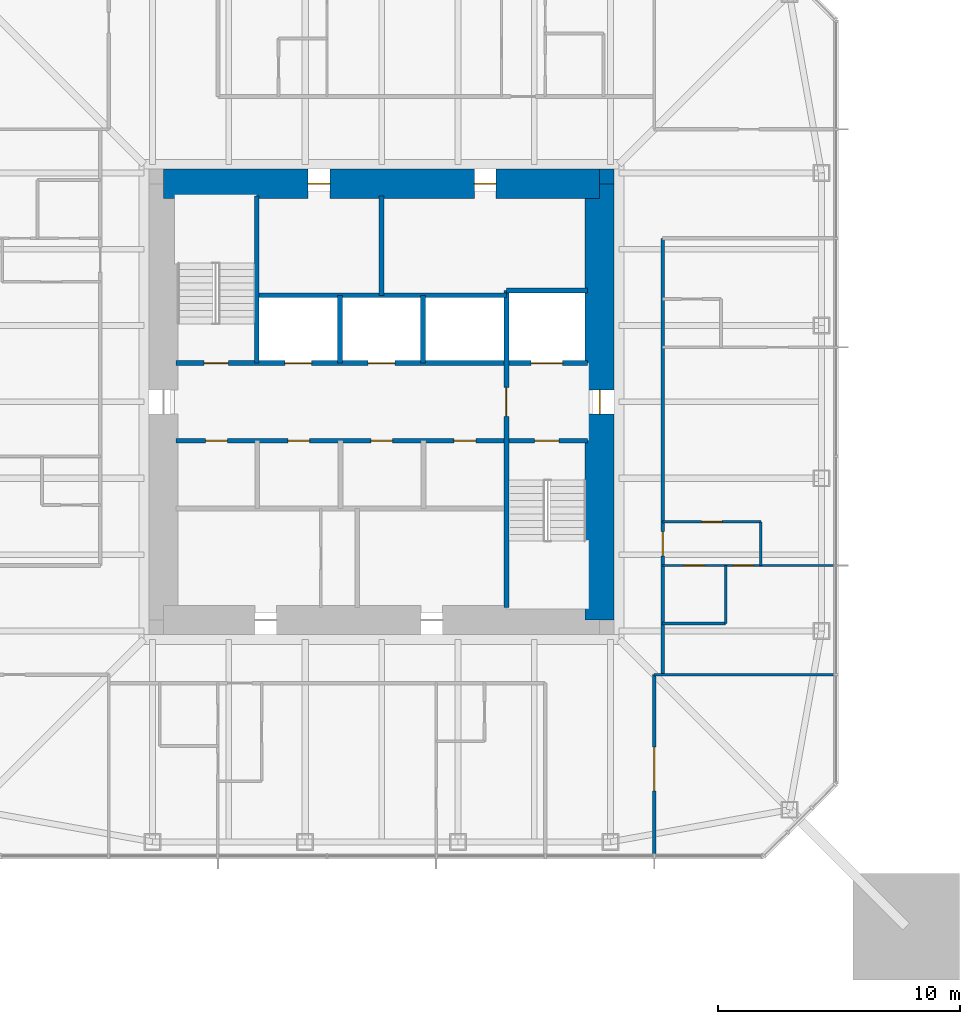
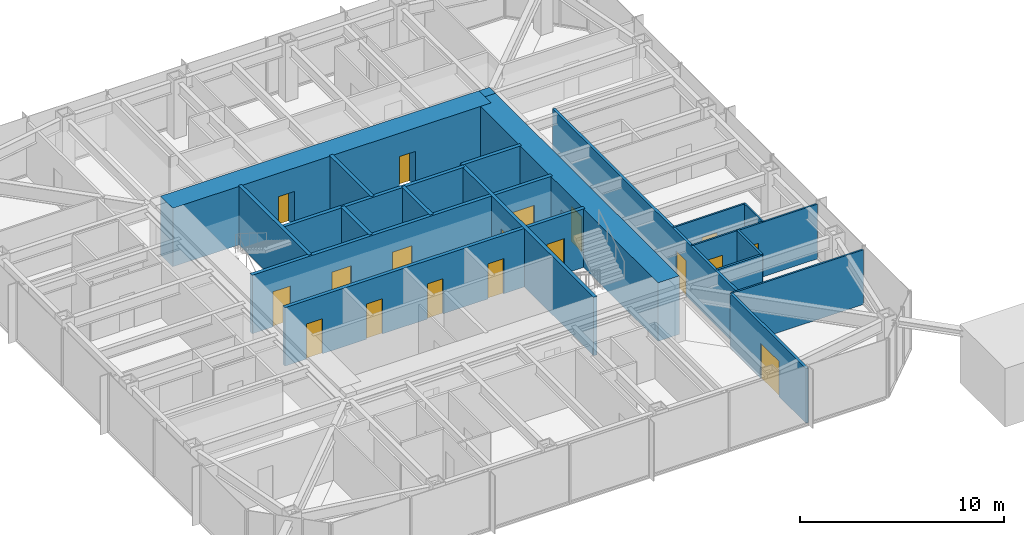
# One storey, part 7 of 11: 20 walls, 18 doors, 18 openings.
"""IFC4 building model written with IfcOpenShell, lengths in metres."""

import ifcopenshell
import ifcopenshell.guid

model = None  # the IFC model being written
_history = None  # IfcOwnerHistory: only IFC2X3 demands one
_inside = {}  # id of a spatial element -> (the spatial element, [elements in it])
_under = {}  # id of a project, library or spatial element -> (it, [spatial elements below it])
_declared = {}  # id of a project -> (the project, [libraries it declares])
_typed = {}  # id of a type object -> (the type object, [elements of that type])
_made_of = {}  # id of a material, layer set ... -> (it, [elements and type objects made of it])


def new_model(schema):
    """Start an empty IFC model of exactly this schema.

    Asked for "IFC4X3", IfcOpenShell would pick the latest addendum, in which some entities
    have other attributes; the version numbers below select the first issue.
    IFC2X3 requires an IfcOwnerHistory on every rooted entity: one is made here for all.
    """
    global model, _history
    if schema == "IFC4X3":
        model = ifcopenshell.file(schema_version=(4, 3, 0, 0))
    else:
        model = ifcopenshell.file(schema=schema)
    _inside.clear()
    _under.clear()
    _declared.clear()
    _typed.clear()
    _made_of.clear()
    _history = None
    if model.schema == "IFC2X3":
        org = make("IfcOrganization", Name="unknown")
        user = make(
            "IfcPersonAndOrganization",
            ThePerson=make("IfcPerson", FamilyName="unknown"),
            TheOrganization=org,
        )
        app = make(
            "IfcApplication",
            ApplicationDeveloper=org,
            Version="unknown",
            ApplicationFullName="unknown",
            ApplicationIdentifier="unknown",
        )
        _history = make(
            "IfcOwnerHistory",
            OwningUser=user,
            OwningApplication=app,
            ChangeAction="ADDED",
            CreationDate=0,
        )
    return model


def make(cls, **values):
    """One entity of the class cls with the attributes given. An attribute that is None is left unset."""
    return model.create_entity(
        cls, **{name: value for name, value in values.items() if value is not None}
    )


def rooted(cls, **values):
    """An entity with a GlobalId (a new one), such as an element, a storey or a relation."""
    return make(cls, GlobalId=ifcopenshell.guid.new(), OwnerHistory=_history, **values)


def si_unit(unit_type, name, prefix=None):
    """IfcSIUnit, for example si_unit("LENGTHUNIT", "METRE", prefix="MILLI")."""
    return make("IfcSIUnit", UnitType=unit_type, Prefix=prefix, Name=name)


def assignment(units):
    """IfcUnitAssignment: the units of a project."""
    return None if units is None else make("IfcUnitAssignment", Units=units)


def point(xyz):
    """IfcCartesianPoint."""
    return None if xyz is None else make("IfcCartesianPoint", Coordinates=xyz)


def direction(xyz):
    """IfcDirection."""
    return None if xyz is None else make("IfcDirection", DirectionRatios=xyz)


def frame(location, z_axis=None, x_axis=None):
    """IfcAxis2Placement3D, a coordinate frame: its origin and axes. An axis left out is left unset."""
    return make(
        "IfcAxis2Placement3D",
        Location=point(location),
        Axis=direction(z_axis),
        RefDirection=direction(x_axis),
    )


def frame_2d(location, x_axis=None):
    """IfcAxis2Placement2D, a coordinate frame in the plane: its origin and x axis."""
    return make(
        "IfcAxis2Placement2D", Location=point(location), RefDirection=direction(x_axis)
    )


def origin():
    """The frame at (0, 0, 0) with its axes left unset."""
    return frame((0.0, 0.0, 0.0))


def place(relative_to, where):
    """IfcLocalPlacement: puts the frame where relative to a parent placement (None: the world)."""
    return make(
        "IfcLocalPlacement", PlacementRelTo=relative_to, RelativePlacement=where
    )


def context(
    kind, dimensions, precision=None, world=None, true_north=None, identifier=None
):
    """IfcGeometricRepresentationContext, for example the 3D "Model" context."""
    return make(
        "IfcGeometricRepresentationContext",
        ContextIdentifier=identifier,
        ContextType=kind,
        CoordinateSpaceDimension=dimensions,
        Precision=precision,
        WorldCoordinateSystem=world,
        TrueNorth=true_north,
    )


def subcontext(parent, identifier, kind, view, scale=None):
    """IfcGeometricRepresentationSubContext, for example "Body" below "Model"."""
    return make(
        "IfcGeometricRepresentationSubContext",
        ContextIdentifier=identifier,
        ContextType=kind,
        ParentContext=parent,
        TargetScale=scale,
        TargetView=view,
    )


def project(units=None, contexts=None):
    """IfcProject with its units and contexts."""
    return rooted(
        "IfcProject",
        Name="project",
        RepresentationContexts=contexts,
        UnitsInContext=assignment(units),
    )


def spatial(cls, under=None, at=None, **own):
    """A site, building, storey or space (cls), placed at a placement, below another one or the project."""
    s = rooted(cls, ObjectPlacement=at, **own)
    if under is not None:
        _under.setdefault(under.id(), (under, []))[1].append(s)
    return s


def profile(cls, at=None, kind="AREA", **sizes):
    """A parametric profile (cls). Its sizes go by their IFC names, for example OverallWidth=200.0."""
    return make(cls, ProfileType=kind, Position=at, **sizes)


def rectangle(**sizes):
    """IfcRectangleProfileDef."""
    return profile("IfcRectangleProfileDef", **sizes)


def extrude(swept, where, along, depth):
    """IfcExtrudedAreaSolid: the profile swept, set in the frame where, extruded along a direction by depth."""
    return make(
        "IfcExtrudedAreaSolid",
        SweptArea=swept,
        Position=where,
        ExtrudedDirection=direction(along),
        Depth=depth,
    )


def shape(context_of_items, identifier, shape_type, items):
    """IfcShapeRepresentation: the items that make up one representation, for example the "Body"."""
    return make(
        "IfcShapeRepresentation",
        ContextOfItems=context_of_items,
        RepresentationIdentifier=identifier,
        RepresentationType=shape_type,
        Items=items,
    )


def material(Name=None, Category=None):
    """IfcMaterial."""
    return make("IfcMaterial", Name=Name, Category=Category)


def layer(
    of_material, thickness, ventilated=None, Name=None, Category=None, Priority=None
):
    """IfcMaterialLayer: one layer of a wall or slab, of a material (None: an air gap)."""
    return make(
        "IfcMaterialLayer",
        Material=of_material,
        LayerThickness=thickness,
        IsVentilated=ventilated,
        Name=Name,
        Category=Category,
        Priority=Priority,
    )


def layer_set(layers, Name=None):
    """IfcMaterialLayerSet."""
    return make("IfcMaterialLayerSet", MaterialLayers=layers, LayerSetName=Name)


def made_of(thing, what):
    """Note that an element or type object is made of a material, layer set ...; save() writes the relation."""
    if what is not None:
        _made_of.setdefault(what.id(), (what, []))[1].append(thing)
    return thing


def type_object(cls, material=None, **own):
    """A type object (cls), such as IfcWallType, which elements share."""
    return made_of(rooted(cls, **own), material)


def element(
    cls,
    number,
    at=None,
    inside=None,
    cuts=None,
    type_object=None,
    material=None,
    context=None,
    identifier="Body",
    shape_type=None,
    held_by="IfcProductDefinitionShape",
    body=None,
    shapes=None,
    **own,
):
    """One element of the class cls, such as IfcWall. Its Tag is "e" and its number.

    at: its placement. inside: the storey or other place that contains it. cuts: it is an
    opening in that element (IfcRelVoidsElement). A single representation is given by context,
    identifier, shape_type and body (its items); several are given by shapes. held_by: the class
    of the entity that holds the representations. save() writes the other relations.
    """
    e = rooted(cls, Tag="e%d" % number, ObjectPlacement=at, **own)
    if body is not None:
        shapes = [shape(context, identifier, shape_type, body)]
    if shapes is not None:
        e.Representation = make(held_by, Representations=shapes)
    if inside is not None:
        _inside.setdefault(inside.id(), (inside, []))[1].append(e)
    if cuts is not None:
        rooted(
            "IfcRelVoidsElement", RelatingBuildingElement=cuts, RelatedOpeningElement=e
        )
    if type_object is not None:
        _typed.setdefault(type_object.id(), (type_object, []))[1].append(e)
    return made_of(e, material)


def fill(opening, filler):
    """IfcRelFillsElement: the door or window that sits in an opening."""
    return rooted(
        "IfcRelFillsElement",
        RelatingOpeningElement=opening,
        RelatedBuildingElement=filler,
    )


def aggregate(whole, parts):
    """IfcRelAggregates: a whole, such as a stair, and the parts it consists of."""
    return rooted("IfcRelAggregates", RelatingObject=whole, RelatedObjects=parts)


def save(model, path):
    """Write the relations noted so far, then the file.

    IfcRelAggregates (storeys below a building ...), IfcRelContainedInSpatialStructure (elements
    in a storey), IfcRelDefinesByType, IfcRelAssociatesMaterial and IfcRelDeclares: one each for
    every whole, place, type object, material and project.
    """
    for whole, parts in _under.values():
        aggregate(whole, parts)
    for where, things in _inside.values():
        rooted(
            "IfcRelContainedInSpatialStructure",
            RelatedElements=things,
            RelatingStructure=where,
        )
    for kind, things in _typed.values():
        rooted("IfcRelDefinesByType", RelatedObjects=things, RelatingType=kind)
    for what, things in _made_of.values():
        rooted("IfcRelAssociatesMaterial", RelatedObjects=things, RelatingMaterial=what)
    for by, libraries in _declared.values():
        rooted("IfcRelDeclares", RelatingContext=by, RelatedDefinitions=libraries)
    model.write(path)


model = new_model("IFC4")

# Units and contexts
model_context = context("Model", 3, precision=1e-05, world=origin(), true_north=direction((0.0, 1.0)))
body_context = subcontext(model_context, "Body", "Model", "MODEL_VIEW")
ifc_project = project(units=[si_unit("LENGTHUNIT", "METRE"), si_unit("AREAUNIT", "SQUARE_METRE"), si_unit("VOLUMEUNIT", "CUBIC_METRE"), si_unit("PLANEANGLEUNIT", "RADIAN"), si_unit("MASSUNIT", "GRAM", prefix="KILO")], contexts=[model_context])

# Site, building, storey
site_placement = place(None, origin())
site = spatial("IfcSite", under=ifc_project, at=site_placement, CompositionType="ELEMENT")
building_placement = place(site_placement, origin())
building = spatial("IfcBuilding", under=site, at=building_placement, Name="Iwan Alto Co-Living Towers", CompositionType="ELEMENT")
storey_placement = place(building_placement, frame((0.0, 0.0, 177.5)))
storey = spatial("IfcBuildingStorey", under=building, at=storey_placement, Name="L48", CompositionType="ELEMENT", Elevation=177.5)

# Wall, opening, door
ifc_material_1 = material(Name="Gypsum board")
ifc_layer_1 = layer(ifc_material_1, 0.02490234375, Name="Board", Category="Finish")
ifc_material_2 = material(Name="Steel ASTM A1003 ST33H cold-formed studs", Category="steel")
ifc_layer_2 = layer(ifc_material_2, 0.10009765625, Name="Studs", Category="Framing")
ifc_layer_3 = layer(ifc_material_1, 0.02490234375, Name="Board", Category="Finish")
ifc_layer_set_1 = layer_set([ifc_layer_1, ifc_layer_2, ifc_layer_3], Name="CORRIDOR WALL 150")
wall_type_1 = type_object("IfcWallType", Name="CORRIDOR WALL 150", PredefinedType="PARTITIONING", material=ifc_layer_set_1)
wall_1_placement = place(storey_placement, frame((11.60009765625, -11.25, 0.0), z_axis=(0.0, 0.0, 1.0), x_axis=(0.0, 1.0, 0.0)))
wall_1 = element("IfcWall", 1, at=wall_1_placement, inside=storey, type_object=wall_type_1, Name="Partition L48", PredefinedType="PARTITIONING", context=body_context, shape_type="SweptSolid", body=[
    extrude(rectangle(XDim=18.0, YDim=0.14990234375, at=frame_2d((9.0, 0.0))), origin(), (0.0, 0.0, 1.0), 3.27001953125),
])
opening_1_placement = place(wall_1_placement, frame((4.89990234375, 0.0, 0.0)))
opening_1 = element("IfcOpeningElement", 2, at=opening_1_placement, cuts=wall_1, Name="Opening D3", PredefinedType="OPENING", context=body_context, shape_type="SweptSolid", body=[
    extrude(rectangle(XDim=1.0, YDim=2.10009765625, at=frame_2d((0.5, 1.050048828125))), frame((0.0, 0.0849609375, 0.0), z_axis=(0.0, -1.0, 0.0), x_axis=(1.0, 0.0, 0.0)), (0.0, 0.0, 1.0), 0.169921875),
])
ifc_material_3 = material(Name="Steel frame with timber leaf", Category="steel")
door_type_1 = type_object("IfcDoorType", Name="FLAT ENTRANCE DOOR FD30S 1000X2100", OperationType="SINGLE_SWING_LEFT", PredefinedType="DOOR", material=ifc_material_3)
door_1_placement = place(opening_1_placement, frame((1.0, 0.0, 0.0), z_axis=(0.0, 0.0, 1.0), x_axis=(-1.0, 0.0, 0.0)))
door_1 = element("IfcDoor", 3, at=door_1_placement, inside=storey, type_object=door_type_1, Name="Apartment foyer door L48", OperationType="SINGLE_SWING_RIGHT", OverallHeight=2.10009765625, OverallWidth=1.0, PredefinedType="DOOR", context=body_context, shape_type="SweptSolid", body=[
    extrude(rectangle(XDim=1.0, YDim=2.10009765625, at=frame_2d((0.5, 1.050048828125))), frame((0.0, 0.02490234375, 0.0), z_axis=(0.0, -1.0, 0.0), x_axis=(1.0, 0.0, 0.0)), (0.0, 0.0, 1.0), 0.050048828125),
])
fill(opening_1, door_1)

wall_2_placement = place(storey_placement, frame((11.25, -18.68994140625, 0.0), z_axis=(0.0, 0.0, 1.0), x_axis=(0.0, 1.0, 0.0)))
wall_2 = element("IfcWall", 4, at=wall_2_placement, inside=storey, type_object=wall_type_1, Name="Partition L48", PredefinedType="PARTITIONING", context=body_context, shape_type="SweptSolid", body=[
    extrude(rectangle(XDim=7.43994140625, YDim=0.14990234375, at=frame_2d((3.719970703125, 0.0))), origin(), (0.0, 0.0, 1.0), 3.27001953125),
])
opening_2_placement = place(wall_2_placement, frame((2.64501953125, 0.0, 0.0)))
opening_2 = element("IfcOpeningElement", 5, at=opening_2_placement, cuts=wall_2, Name="Opening D9", PredefinedType="OPENING", context=body_context, shape_type="SweptSolid", body=[
    extrude(rectangle(XDim=1.800048828125, YDim=2.10009765625, at=frame_2d((0.89990234375, 1.050048828125))), frame((0.0, 0.0849609375, 0.0), z_axis=(0.0, -1.0, 0.0), x_axis=(1.0, 0.0, 0.0)), (0.0, 0.0, 1.0), 0.169921875),
])
ifc_material_4 = material(Name="Steel frame with timber leaf", Category="steel")
door_type_2 = type_object("IfcDoorType", Name="LOUNGE DOOR FD30S 1800X2100", OperationType="DOUBLE_DOOR_SINGLE_SWING", PredefinedType="DOOR", material=ifc_material_4)
door_2_placement = place(opening_2_placement, frame((1.800048828125, 0.0, 0.0), z_axis=(0.0, 0.0, 1.0), x_axis=(-1.0, 0.0, 0.0)))
door_2 = element("IfcDoor", 6, at=door_2_placement, inside=storey, type_object=door_type_2, Name="Courtyard lounge door L48", OperationType="DOUBLE_DOOR_SINGLE_SWING", OverallHeight=2.10009765625, OverallWidth=1.800048828125, PredefinedType="DOOR", context=body_context, shape_type="SweptSolid", body=[
    extrude(rectangle(XDim=1.800048828125, YDim=2.10009765625, at=frame_2d((0.89990234375, 1.050048828125))), frame((0.0, 0.02490234375, 0.0), z_axis=(0.0, -1.0, 0.0), x_axis=(1.0, 0.0, 0.0)), (0.0, 0.0, 1.0), 0.050048828125),
])
fill(opening_2, door_2)

# Wall
ifc_layer_4 = layer(ifc_material_1, 0.012451171875, Name="Board", Category="Finish")
ifc_layer_5 = layer(ifc_material_2, 0.074951171875, Name="Studs", Category="Framing")
ifc_layer_6 = layer(ifc_material_1, 0.012451171875, Name="Board", Category="Finish")
ifc_layer_set_2 = layer_set([ifc_layer_4, ifc_layer_5, ifc_layer_6], Name="PARTITION 100")
wall_type_2 = type_object("IfcWallType", Name="PARTITION 100", PredefinedType="PARTITIONING", material=ifc_layer_set_2)
wall_3_placement = place(storey_placement, frame((11.25, -11.25, 0.0), z_axis=(0.0, 0.0, 1.0), x_axis=(1.0, 0.0, 0.0)))
element("IfcWall", 7, at=wall_3_placement, inside=storey, type_object=wall_type_2, Name="Partition L48", PredefinedType="PARTITIONING", context=body_context, shape_type="SweptSolid", body=[
    extrude(rectangle(XDim=7.43994140625, YDim=0.10009765625, at=frame_2d((3.719970703125, 0.0))), origin(), (0.0, 0.0, 1.0), 3.27001953125),
])

# Wall, openings, doors
wall_4_placement = place(storey_placement, frame((11.60009765625, -6.75, 0.0), z_axis=(0.0, 0.0, 1.0), x_axis=(1.0, 0.0, 0.0)))
wall_4 = element("IfcWall", 8, at=wall_4_placement, inside=storey, type_object=wall_type_2, Name="Partition L48", PredefinedType="PARTITIONING", context=body_context, shape_type="SweptSolid", body=[
    extrude(rectangle(XDim=7.08984375, YDim=0.10009765625, at=frame_2d((3.544921875, 0.0))), origin(), (0.0, 0.0, 1.0), 3.27001953125),
])
opening_3_placement = place(wall_4_placement, frame((2.89990234375, 0.0, 0.0)))
opening_3 = element("IfcOpeningElement", 9, at=opening_3_placement, cuts=wall_4, Name="Opening D2", PredefinedType="OPENING", context=body_context, shape_type="SweptSolid", body=[
    extrude(rectangle(XDim=0.85009765625, YDim=2.10009765625, at=frame_2d((0.425048828125, 1.050048828125))), frame((0.0, 0.06005859375, 0.0), z_axis=(0.0, -1.0, 0.0), x_axis=(1.0, 0.0, 0.0)), (0.0, 0.0, 1.0), 0.1201171875),
])
opening_4_placement = place(wall_4_placement, frame((0.875, 0.0, 0.0)))
opening_4 = element("IfcOpeningElement", 10, at=opening_4_placement, cuts=wall_4, Name="Opening D2", PredefinedType="OPENING", context=body_context, shape_type="SweptSolid", body=[
    extrude(rectangle(XDim=0.85009765625, YDim=2.10009765625, at=frame_2d((0.425048828125, 1.050048828125))), frame((0.0, 0.06005859375, 0.0), z_axis=(0.0, -1.0, 0.0), x_axis=(1.0, 0.0, 0.0)), (0.0, 0.0, 1.0), 0.1201171875),
])
ifc_material_5 = material(Name="Timber leaf in steel frame", Category="steel")
door_type_3 = type_object("IfcDoorType", Name="ROOM DOOR 850X2100", OperationType="SINGLE_SWING_LEFT", PredefinedType="DOOR", material=ifc_material_5)
door_3_placement = place(opening_3_placement, frame((0.85009765625, 0.0, 0.0), z_axis=(0.0, 0.0, 1.0), x_axis=(-1.0, 0.0, 0.0)))
door_3 = element("IfcDoor", 11, at=door_3_placement, inside=storey, type_object=door_type_3, Name="Bedroom door L48", OperationType="SINGLE_SWING_RIGHT", OverallHeight=2.10009765625, OverallWidth=0.85009765625, PredefinedType="DOOR", context=body_context, shape_type="SweptSolid", body=[
    extrude(rectangle(XDim=0.85009765625, YDim=2.10009765625, at=frame_2d((0.425048828125, 1.050048828125))), frame((0.0, 0.02490234375, 0.0), z_axis=(0.0, -1.0, 0.0), x_axis=(1.0, 0.0, 0.0)), (0.0, 0.0, 1.0), 0.050048828125),
])
fill(opening_3, door_3)
door_4_placement = place(opening_4_placement, frame((0.85009765625, 0.0, 0.0), z_axis=(0.0, 0.0, 1.0), x_axis=(-1.0, 0.0, 0.0)))
door_4 = element("IfcDoor", 12, at=door_4_placement, inside=storey, type_object=door_type_3, Name="Bathroom door L48", OperationType="SINGLE_SWING_RIGHT", OverallHeight=2.10009765625, OverallWidth=0.85009765625, PredefinedType="DOOR", context=body_context, shape_type="SweptSolid", body=[
    extrude(rectangle(XDim=0.85009765625, YDim=2.10009765625, at=frame_2d((0.425048828125, 1.050048828125))), frame((0.0, 0.02490234375, 0.0), z_axis=(0.0, -1.0, 0.0), x_axis=(1.0, 0.0, 0.0)), (0.0, 0.0, 1.0), 0.050048828125),
])
fill(opening_4, door_4)

# Wall, opening, door
wall_5_placement = place(storey_placement, frame((11.60009765625, -4.949951171875, 0.0), z_axis=(0.0, 0.0, 1.0), x_axis=(1.0, 0.0, 0.0)))
wall_5 = element("IfcWall", 13, at=wall_5_placement, inside=storey, type_object=wall_type_2, Name="Partition L48", PredefinedType="PARTITIONING", context=body_context, shape_type="SweptSolid", body=[
    extrude(rectangle(XDim=4.0498046875, YDim=0.10009765625, at=frame_2d((2.02490234375, 0.0))), origin(), (0.0, 0.0, 1.0), 3.27001953125),
])
opening_5_placement = place(wall_5_placement, frame((1.60009765625, 0.0, 0.0)))
opening_5 = element("IfcOpeningElement", 14, at=opening_5_placement, cuts=wall_5, Name="Opening D2", PredefinedType="OPENING", context=body_context, shape_type="SweptSolid", body=[
    extrude(rectangle(XDim=0.85009765625, YDim=2.10009765625, at=frame_2d((0.425048828125, 1.050048828125))), frame((0.0, 0.06005859375, 0.0), z_axis=(0.0, -1.0, 0.0), x_axis=(1.0, 0.0, 0.0)), (0.0, 0.0, 1.0), 0.1201171875),
])
door_5_placement = place(opening_5_placement, origin())
door_5 = element("IfcDoor", 15, at=door_5_placement, inside=storey, type_object=door_type_3, Name="Apartment foyer door L48", OperationType="SINGLE_SWING_LEFT", OverallHeight=2.10009765625, OverallWidth=0.85009765625, PredefinedType="DOOR", context=body_context, shape_type="SweptSolid", body=[
    extrude(rectangle(XDim=0.85009765625, YDim=2.10009765625, at=frame_2d((0.425048828125, 1.050048828125))), frame((0.0, 0.02490234375, 0.0), z_axis=(0.0, -1.0, 0.0), x_axis=(1.0, 0.0, 0.0)), (0.0, 0.0, 1.0), 0.050048828125),
])
fill(opening_5, door_5)

# Wall
wall_6_placement = place(storey_placement, frame((15.64990234375, -6.75, 0.0), z_axis=(0.0, 0.0, 1.0), x_axis=(0.0, 1.0, 0.0)))
element("IfcWall", 16, at=wall_6_placement, inside=storey, type_object=wall_type_2, Name="Partition L48", PredefinedType="PARTITIONING", context=body_context, shape_type="SweptSolid", body=[
    extrude(rectangle(XDim=1.800048828125, YDim=0.10009765625, at=frame_2d((0.89990234375, 0.0))), origin(), (0.0, 0.0, 1.0), 3.27001953125),
])

# Wall, openings, doors
ifc_material_6 = material(Name="Concrete f'c 70 MPa", Category="concrete")
ifc_layer_7 = layer(ifc_material_6, 0.199951171875)
ifc_layer_set_3 = layer_set([ifc_layer_7], Name="SHAFT WALL 200")
wall_type_3 = type_object("IfcWallType", Name="SHAFT WALL 200", PredefinedType="SOLIDWALL", material=ifc_layer_set_3)
wall_7_placement = place(storey_placement, frame((-8.489990234375, -1.60009765625, 0.0), z_axis=(0.0, 0.0, 1.0), x_axis=(1.0, 0.0, 0.0)))
wall_7 = element("IfcWall", 17, at=wall_7_placement, inside=storey, type_object=wall_type_3, Name="Shaft wall L48", PredefinedType="SOLIDWALL", context=body_context, shape_type="SweptSolid", body=[
    extrude(rectangle(XDim=16.97998046875, YDim=0.199951171875, at=frame_2d((8.489990234375, 0.0))), origin(), (0.0, 0.0, 1.0), 3.5),
])
opening_6_placement = place(wall_7_placement, frame((14.81005859375, 0.0, 0.0)))
opening_6 = element("IfcOpeningElement", 18, at=opening_6_placement, cuts=wall_7, Name="Opening D5", PredefinedType="OPENING", context=body_context, shape_type="SweptSolid", body=[
    extrude(rectangle(XDim=1.0, YDim=2.10009765625, at=frame_2d((0.5, 1.050048828125))), frame((0.0, 0.10986328125, 0.0), z_axis=(0.0, -1.0, 0.0), x_axis=(1.0, 0.0, 0.0)), (0.0, 0.0, 1.0), 0.219970703125),
])
opening_7_placement = place(wall_7_placement, frame((1.23193359375, 0.0, 0.0)))
opening_7 = element("IfcOpeningElement", 19, at=opening_7_placement, cuts=wall_7, Name="Opening D15", PredefinedType="OPENING", context=body_context, shape_type="SweptSolid", body=[
    extrude(rectangle(XDim=0.89990234375, YDim=2.10009765625, at=frame_2d((0.449951171875, 1.050048828125))), frame((0.0, 0.10986328125, 0.0), z_axis=(0.0, -1.0, 0.0), x_axis=(1.0, 0.0, 0.0)), (0.0, 0.0, 1.0), 0.219970703125),
])
opening_8_placement = place(wall_7_placement, frame((4.626953125, 0.0, 0.0)))
opening_8 = element("IfcOpeningElement", 20, at=opening_8_placement, cuts=wall_7, Name="Opening D15", PredefinedType="OPENING", context=body_context, shape_type="SweptSolid", body=[
    extrude(rectangle(XDim=0.89990234375, YDim=2.10009765625, at=frame_2d((0.449951171875, 1.050048828125))), frame((0.0, 0.10986328125, 0.0), z_axis=(0.0, -1.0, 0.0), x_axis=(1.0, 0.0, 0.0)), (0.0, 0.0, 1.0), 0.219970703125),
])
opening_9_placement = place(wall_7_placement, frame((8.052001953125, 0.0, 0.0)))
opening_9 = element("IfcOpeningElement", 21, at=opening_9_placement, cuts=wall_7, Name="Opening D15", PredefinedType="OPENING", context=body_context, shape_type="SweptSolid", body=[
    extrude(rectangle(XDim=0.89990234375, YDim=2.10009765625, at=frame_2d((0.449951171875, 1.050048828125))), frame((0.0, 0.10986328125, 0.0), z_axis=(0.0, -1.0, 0.0), x_axis=(1.0, 0.0, 0.0)), (0.0, 0.0, 1.0), 0.219970703125),
])
opening_10_placement = place(wall_7_placement, frame((11.47802734375, 0.0, 0.0)))
opening_10 = element("IfcOpeningElement", 22, at=opening_10_placement, cuts=wall_7, Name="Opening D15", PredefinedType="OPENING", context=body_context, shape_type="SweptSolid", body=[
    extrude(rectangle(XDim=0.89990234375, YDim=2.10009765625, at=frame_2d((0.449951171875, 1.050048828125))), frame((0.0, 0.10986328125, 0.0), z_axis=(0.0, -1.0, 0.0), x_axis=(1.0, 0.0, 0.0)), (0.0, 0.0, 1.0), 0.219970703125),
])
ifc_material_7 = material(Name="Steel frame with timber leaf", Category="steel")
door_type_4 = type_object("IfcDoorType", Name="CORE ROOM DOOR FD60S 900X2100", OperationType="SINGLE_SWING_LEFT", PredefinedType="DOOR", material=ifc_material_7)
door_6_placement = place(opening_7_placement, frame((0.89990234375, 0.0, 0.0), z_axis=(0.0, 0.0, 1.0), x_axis=(-1.0, 0.0, 0.0)))
door_6 = element("IfcDoor", 23, at=door_6_placement, inside=storey, type_object=door_type_4, Name="Vending and ice room door L48", OperationType="SINGLE_SWING_LEFT", OverallHeight=2.10009765625, OverallWidth=0.89990234375, PredefinedType="DOOR", context=body_context, shape_type="SweptSolid", body=[
    extrude(rectangle(XDim=0.89990234375, YDim=2.10009765625, at=frame_2d((0.449951171875, 1.050048828125))), frame((0.0, 0.02490234375, 0.0), z_axis=(0.0, -1.0, 0.0), x_axis=(1.0, 0.0, 0.0)), (0.0, 0.0, 1.0), 0.050048828125),
])
fill(opening_7, door_6)
door_7_placement = place(opening_8_placement, frame((0.89990234375, 0.0, 0.0), z_axis=(0.0, 0.0, 1.0), x_axis=(-1.0, 0.0, 0.0)))
door_7 = element("IfcDoor", 24, at=door_7_placement, inside=storey, type_object=door_type_4, Name="Staff WC door L48", OperationType="SINGLE_SWING_RIGHT", OverallHeight=2.10009765625, OverallWidth=0.89990234375, PredefinedType="DOOR", context=body_context, shape_type="SweptSolid", body=[
    extrude(rectangle(XDim=0.89990234375, YDim=2.10009765625, at=frame_2d((0.449951171875, 1.050048828125))), frame((0.0, 0.02490234375, 0.0), z_axis=(0.0, -1.0, 0.0), x_axis=(1.0, 0.0, 0.0)), (0.0, 0.0, 1.0), 0.050048828125),
])
fill(opening_8, door_7)
door_8_placement = place(opening_9_placement, frame((0.89990234375, 0.0, 0.0), z_axis=(0.0, 0.0, 1.0), x_axis=(-1.0, 0.0, 0.0)))
door_8 = element("IfcDoor", 25, at=door_8_placement, inside=storey, type_object=door_type_4, Name="Comms room door L48", OperationType="SINGLE_SWING_RIGHT", OverallHeight=2.10009765625, OverallWidth=0.89990234375, PredefinedType="DOOR", context=body_context, shape_type="SweptSolid", body=[
    extrude(rectangle(XDim=0.89990234375, YDim=2.10009765625, at=frame_2d((0.449951171875, 1.050048828125))), frame((0.0, 0.02490234375, 0.0), z_axis=(0.0, -1.0, 0.0), x_axis=(1.0, 0.0, 0.0)), (0.0, 0.0, 1.0), 0.050048828125),
])
fill(opening_9, door_8)
door_9_placement = place(opening_10_placement, frame((0.89990234375, 0.0, 0.0), z_axis=(0.0, 0.0, 1.0), x_axis=(-1.0, 0.0, 0.0)))
door_9 = element("IfcDoor", 26, at=door_9_placement, inside=storey, type_object=door_type_4, Name="Housekeeping store door L48", OperationType="SINGLE_SWING_RIGHT", OverallHeight=2.10009765625, OverallWidth=0.89990234375, PredefinedType="DOOR", context=body_context, shape_type="SweptSolid", body=[
    extrude(rectangle(XDim=0.89990234375, YDim=2.10009765625, at=frame_2d((0.449951171875, 1.050048828125))), frame((0.0, 0.02490234375, 0.0), z_axis=(0.0, -1.0, 0.0), x_axis=(1.0, 0.0, 0.0)), (0.0, 0.0, 1.0), 0.050048828125),
])
fill(opening_10, door_9)
ifc_material_8 = material(Name="Steel frame with timber leaf", Category="steel")
door_type_5 = type_object("IfcDoorType", Name="STAIR DOOR FD120S 1000X2100", OperationType="SINGLE_SWING_LEFT", PredefinedType="DOOR", material=ifc_material_8)
door_10_placement = place(opening_6_placement, frame((1.0, 0.0, 0.0), z_axis=(0.0, 0.0, 1.0), x_axis=(-1.0, 0.0, 0.0)))
door_10 = element("IfcDoor", 27, at=door_10_placement, inside=storey, type_object=door_type_5, Name="Stair S2 door L48", OperationType="SINGLE_SWING_RIGHT", OverallHeight=2.10009765625, OverallWidth=1.0, PredefinedType="DOOR", context=body_context, shape_type="SweptSolid", body=[
    extrude(rectangle(XDim=1.0, YDim=2.10009765625, at=frame_2d((0.5, 1.050048828125))), frame((0.0, 0.02490234375, 0.0), z_axis=(0.0, -1.0, 0.0), x_axis=(1.0, 0.0, 0.0)), (0.0, 0.0, 1.0), 0.050048828125),
])
fill(opening_6, door_10)

wall_8_placement = place(storey_placement, frame((-8.489990234375, 1.60009765625, 0.0), z_axis=(0.0, 0.0, 1.0), x_axis=(1.0, 0.0, 0.0)))
wall_8 = element("IfcWall", 28, at=wall_8_placement, inside=storey, type_object=wall_type_3, Name="Shaft wall L48", PredefinedType="SOLIDWALL", context=body_context, shape_type="SweptSolid", body=[
    extrude(rectangle(XDim=16.97998046875, YDim=0.199951171875, at=frame_2d((8.489990234375, 0.0))), origin(), (0.0, 0.0, 1.0), 3.5),
])
opening_11_placement = place(wall_8_placement, frame((1.169921875, 0.0, 0.0)))
opening_11 = element("IfcOpeningElement", 29, at=opening_11_placement, cuts=wall_8, Name="Opening D5", PredefinedType="OPENING", context=body_context, shape_type="SweptSolid", body=[
    extrude(rectangle(XDim=1.0, YDim=2.10009765625, at=frame_2d((0.5, 1.050048828125))), frame((0.0, 0.10986328125, 0.0), z_axis=(0.0, -1.0, 0.0), x_axis=(1.0, 0.0, 0.0)), (0.0, 0.0, 1.0), 0.219970703125),
])
opening_12_placement = place(wall_8_placement, frame((4.506103515625, 0.0, 0.0)))
opening_12 = element("IfcOpeningElement", 30, at=opening_12_placement, cuts=wall_8, Name="Opening LD", PredefinedType="OPENING", context=body_context, shape_type="SweptSolid", body=[
    extrude(rectangle(XDim=1.10009765625, YDim=2.10009765625, at=frame_2d((0.550048828125, 1.050048828125))), frame((0.0, 0.10986328125, 0.0), z_axis=(0.0, -1.0, 0.0), x_axis=(1.0, 0.0, 0.0)), (0.0, 0.0, 1.0), 0.219970703125),
])
opening_13_placement = place(wall_8_placement, frame((7.93994140625, 0.0, 0.0)))
opening_13 = element("IfcOpeningElement", 31, at=opening_13_placement, cuts=wall_8, Name="Opening LD", PredefinedType="OPENING", context=body_context, shape_type="SweptSolid", body=[
    extrude(rectangle(XDim=1.10009765625, YDim=2.10009765625, at=frame_2d((0.550048828125, 1.050048828125))), frame((0.0, 0.10986328125, 0.0), z_axis=(0.0, -1.0, 0.0), x_axis=(1.0, 0.0, 0.0)), (0.0, 0.0, 1.0), 0.219970703125),
])
opening_14_placement = place(wall_8_placement, frame((14.659912109375, 0.0, 0.0)))
opening_14 = element("IfcOpeningElement", 32, at=opening_14_placement, cuts=wall_8, Name="Opening LD2", PredefinedType="OPENING", context=body_context, shape_type="SweptSolid", body=[
    extrude(rectangle(XDim=1.300048828125, YDim=2.10009765625, at=frame_2d((0.64990234375, 1.050048828125))), frame((0.0, 0.10986328125, 0.0), z_axis=(0.0, -1.0, 0.0), x_axis=(1.0, 0.0, 0.0)), (0.0, 0.0, 1.0), 0.219970703125),
])
ifc_material_9 = material(Name="Steel frame with timber leaf", Category="steel")
door_type_6 = type_object("IfcDoorType", Name="LIFT LANDING DOOR 1100X2100", OperationType="DOUBLE_DOOR_SLIDING", PredefinedType="DOOR", material=ifc_material_9)
door_11_placement = place(opening_12_placement, origin())
door_11 = element("IfcDoor", 33, at=door_11_placement, inside=storey, type_object=door_type_6, Name="Lift P3-1 landing door L48", OperationType="DOUBLE_DOOR_SLIDING", OverallHeight=2.10009765625, OverallWidth=1.10009765625, PredefinedType="DOOR", context=body_context, shape_type="SweptSolid", body=[
    extrude(rectangle(XDim=1.10009765625, YDim=2.10009765625, at=frame_2d((0.550048828125, 1.050048828125))), frame((0.0, 0.02490234375, 0.0), z_axis=(0.0, -1.0, 0.0), x_axis=(1.0, 0.0, 0.0)), (0.0, 0.0, 1.0), 0.050048828125),
])
fill(opening_12, door_11)
door_12_placement = place(opening_13_placement, origin())
door_12 = element("IfcDoor", 34, at=door_12_placement, inside=storey, type_object=door_type_6, Name="Lift P3-2 landing door L48", OperationType="DOUBLE_DOOR_SLIDING", OverallHeight=2.10009765625, OverallWidth=1.10009765625, PredefinedType="DOOR", context=body_context, shape_type="SweptSolid", body=[
    extrude(rectangle(XDim=1.10009765625, YDim=2.10009765625, at=frame_2d((0.550048828125, 1.050048828125))), frame((0.0, 0.02490234375, 0.0), z_axis=(0.0, -1.0, 0.0), x_axis=(1.0, 0.0, 0.0)), (0.0, 0.0, 1.0), 0.050048828125),
])
fill(opening_13, door_12)
ifc_material_10 = material(Name="Steel frame with timber leaf", Category="steel")
door_type_7 = type_object("IfcDoorType", Name="LIFT LANDING DOOR 1300X2100", OperationType="SLIDING_TO_LEFT", PredefinedType="DOOR", material=ifc_material_10)
door_13_placement = place(opening_14_placement, origin())
door_13 = element("IfcDoor", 35, at=door_13_placement, inside=storey, type_object=door_type_7, Name="Lift FL1 landing door L48", OperationType="SLIDING_TO_LEFT", OverallHeight=2.10009765625, OverallWidth=1.300048828125, PredefinedType="DOOR", context=body_context, shape_type="SweptSolid", body=[
    extrude(rectangle(XDim=1.300048828125, YDim=2.10009765625, at=frame_2d((0.64990234375, 1.050048828125))), frame((0.0, 0.02490234375, 0.0), z_axis=(0.0, -1.0, 0.0), x_axis=(1.0, 0.0, 0.0)), (0.0, 0.0, 1.0), 0.050048828125),
])
fill(opening_14, door_13)
door_14_placement = place(opening_11_placement, origin())
door_14 = element("IfcDoor", 36, at=door_14_placement, inside=storey, type_object=door_type_5, Name="Stair S1 door L48", OperationType="SINGLE_SWING_RIGHT", OverallHeight=2.10009765625, OverallWidth=1.0, PredefinedType="DOOR", context=body_context, shape_type="SweptSolid", body=[
    extrude(rectangle(XDim=1.0, YDim=2.10009765625, at=frame_2d((0.5, 1.050048828125))), frame((0.0, 0.02490234375, 0.0), z_axis=(0.0, -1.0, 0.0), x_axis=(1.0, 0.0, 0.0)), (0.0, 0.0, 1.0), 0.050048828125),
])
fill(opening_11, door_14)

# Walls
wall_9_placement = place(storey_placement, frame((-5.14990234375, 4.39990234375, 0.0), z_axis=(0.0, 0.0, 1.0), x_axis=(1.0, 0.0, 0.0)))
element("IfcWall", 37, at=wall_9_placement, inside=storey, type_object=wall_type_3, Name="Shaft wall L48", PredefinedType="SOLIDWALL", context=body_context, shape_type="SweptSolid", body=[
    extrude(rectangle(XDim=10.2998046875, YDim=0.199951171875, at=frame_2d((5.14990234375, 0.0))), origin(), (0.0, 0.0, 1.0), 3.5),
])
wall_10_placement = place(storey_placement, frame((5.14990234375, 4.60009765625, 0.0), z_axis=(0.0, 0.0, 1.0), x_axis=(1.0, 0.0, 0.0)))
element("IfcWall", 38, at=wall_10_placement, inside=storey, type_object=wall_type_3, Name="Shaft wall L48", PredefinedType="SOLIDWALL", context=body_context, shape_type="SweptSolid", body=[
    extrude(rectangle(XDim=3.340087890625, YDim=0.199951171875, at=frame_2d((1.669921875, 0.0))), origin(), (0.0, 0.0, 1.0), 3.5),
])

# Wall, opening, door
wall_11_placement = place(storey_placement, frame((5.14990234375, -8.489990234375, 0.0), z_axis=(0.0, 0.0, 1.0), x_axis=(0.0, 1.0, 0.0)))
wall_11 = element("IfcWall", 39, at=wall_11_placement, inside=storey, type_object=wall_type_3, Name="Shaft wall L48", PredefinedType="SOLIDWALL", context=body_context, shape_type="SweptSolid", body=[
    extrude(rectangle(XDim=13.090087890625, YDim=0.199951171875, at=frame_2d((6.544921875, 0.0))), origin(), (0.0, 0.0, 1.0), 3.5),
])
opening_15_placement = place(wall_11_placement, frame((7.889892578125, 0.0, 0.0)))
opening_15 = element("IfcOpeningElement", 40, at=opening_15_placement, cuts=wall_11, Name="Opening D6", PredefinedType="OPENING", context=body_context, shape_type="SweptSolid", body=[
    extrude(rectangle(XDim=1.199951171875, YDim=2.10009765625, at=frame_2d((0.60009765625, 1.050048828125))), frame((0.0, 0.10986328125, 0.0), z_axis=(0.0, -1.0, 0.0), x_axis=(1.0, 0.0, 0.0)), (0.0, 0.0, 1.0), 0.219970703125),
])
ifc_material_11 = material(Name="Steel frame with timber leaf", Category="steel")
door_type_8 = type_object("IfcDoorType", Name="LOBBY DOOR FD120S 1200X2100", OperationType="SINGLE_SWING_LEFT", PredefinedType="DOOR", material=ifc_material_11)
door_15_placement = place(opening_15_placement, frame((1.199951171875, 0.0, 0.0), z_axis=(0.0, 0.0, 1.0), x_axis=(-1.0, 0.0, 0.0)))
door_15 = element("IfcDoor", 41, at=door_15_placement, inside=storey, type_object=door_type_8, Name="Firefighting lobby door L48", OperationType="SINGLE_SWING_RIGHT", OverallHeight=2.10009765625, OverallWidth=1.199951171875, PredefinedType="DOOR", context=body_context, shape_type="SweptSolid", body=[
    extrude(rectangle(XDim=1.199951171875, YDim=2.10009765625, at=frame_2d((0.60009765625, 1.050048828125))), frame((0.0, 0.02490234375, 0.0), z_axis=(0.0, -1.0, 0.0), x_axis=(1.0, 0.0, 0.0)), (0.0, 0.0, 1.0), 0.050048828125),
])
fill(opening_15, door_15)

# Walls
wall_12_placement = place(storey_placement, frame((1.717041015625, 1.60009765625, 0.0), z_axis=(0.0, 0.0, 1.0), x_axis=(0.0, 1.0, 0.0)))
element("IfcWall", 42, at=wall_12_placement, inside=storey, type_object=wall_type_3, Name="Shaft wall L48", PredefinedType="SOLIDWALL", context=body_context, shape_type="SweptSolid", body=[
    extrude(rectangle(XDim=2.7998046875, YDim=0.199951171875, at=frame_2d((1.39990234375, 0.0))), origin(), (0.0, 0.0, 1.0), 3.5),
])
wall_13_placement = place(storey_placement, frame((0.0, 4.39990234375, 0.0), z_axis=(0.0, 0.0, 1.0), x_axis=(0.0, 1.0, 0.0)))
element("IfcWall", 43, at=wall_13_placement, inside=storey, type_object=wall_type_3, Name="Shaft wall L48", PredefinedType="SOLIDWALL", context=body_context, shape_type="SweptSolid", body=[
    extrude(rectangle(XDim=4.090087890625, YDim=0.199951171875, at=frame_2d((2.044921875, 0.0))), origin(), (0.0, 0.0, 1.0), 3.5),
])
wall_14_placement = place(storey_placement, frame((-1.717041015625, 1.60009765625, 0.0), z_axis=(0.0, 0.0, 1.0), x_axis=(0.0, 1.0, 0.0)))
element("IfcWall", 44, at=wall_14_placement, inside=storey, type_object=wall_type_3, Name="Shaft wall L48", PredefinedType="SOLIDWALL", context=body_context, shape_type="SweptSolid", body=[
    extrude(rectangle(XDim=2.7998046875, YDim=0.199951171875, at=frame_2d((1.39990234375, 0.0))), origin(), (0.0, 0.0, 1.0), 3.5),
])
wall_15_placement = place(storey_placement, frame((-5.14990234375, 1.60009765625, 0.0), z_axis=(0.0, 0.0, 1.0), x_axis=(0.0, 1.0, 0.0)))
element("IfcWall", 45, at=wall_15_placement, inside=storey, type_object=wall_type_3, Name="Shaft wall L48", PredefinedType="SOLIDWALL", context=body_context, shape_type="SweptSolid", body=[
    extrude(rectangle(XDim=6.889892578125, YDim=0.199951171875, at=frame_2d((3.44482421875, 0.0))), origin(), (0.0, 0.0, 1.0), 3.5),
])
ifc_material_12 = material(Name="Concrete f'c 70 MPa", Category="concrete")
ifc_layer_8 = layer(ifc_material_12, 0.60009765625)
ifc_layer_set_4 = layer_set([ifc_layer_8], Name="T1 CORE CORNER FILL 600")
wall_type_4 = type_object("IfcWallType", Name="T1 CORE CORNER FILL 600", PredefinedType="SOLIDWALL", material=ifc_layer_set_4)
wall_16_placement = place(storey_placement, frame((9.0, 9.300048828125, 0.0), z_axis=(0.0, 0.0, 1.0), x_axis=(1.0, 0.0, 0.0)))
element("IfcWall", 46, at=wall_16_placement, inside=storey, type_object=wall_type_4, Name="T1 core corner NE L48", PredefinedType="SOLIDWALL", context=body_context, shape_type="SweptSolid", body=[
    extrude(rectangle(XDim=0.60009765625, YDim=0.60009765625, at=frame_2d((0.300048828125, 0.0))), origin(), (0.0, 0.0, 1.0), 3.5),
])

# Wall, openings, doors
ifc_material_13 = material(Name="Concrete f'c 70 MPa", Category="concrete")
ifc_layer_9 = layer(ifc_material_13, 1.199951171875)
ifc_layer_set_5 = layer_set([ifc_layer_9], Name="T1 CORE WALL 1200")
wall_type_5 = type_object("IfcWallType", Name="T1 CORE WALL 1200", PredefinedType="SHEAR", material=ifc_layer_set_5)
wall_17_placement = place(storey_placement, frame((9.0, 9.0, 0.0), z_axis=(0.0, 0.0, 1.0), x_axis=(-1.0, 0.0, 0.0)))
wall_17 = element("IfcWall", 47, at=wall_17_placement, inside=storey, type_object=wall_type_5, Name="T1 core wall N L48", PredefinedType="SHEAR", context=body_context, shape_type="SweptSolid", body=[
    extrude(rectangle(XDim=18.0, YDim=1.199951171875, at=frame_2d((9.0, 0.0))), origin(), (0.0, 0.0, 1.0), 3.5),
])
opening_16_placement = place(wall_17_placement, frame((11.125, 0.0, 0.0)))
opening_16 = element("IfcOpeningElement", 48, at=opening_16_placement, cuts=wall_17, Name="Opening D8", PredefinedType="OPENING", context=body_context, shape_type="SweptSolid", body=[
    extrude(rectangle(XDim=0.89990234375, YDim=2.10009765625, at=frame_2d((0.449951171875, 1.050048828125))), frame((0.0, 0.60986328125, 0.0), z_axis=(0.0, -1.0, 0.0), x_axis=(1.0, 0.0, 0.0)), (0.0, 0.0, 1.0), 1.219970703125),
])
opening_17_placement = place(wall_17_placement, frame((4.27490234375, 0.0, 0.0)))
opening_17 = element("IfcOpeningElement", 49, at=opening_17_placement, cuts=wall_17, Name="Opening D8", PredefinedType="OPENING", context=body_context, shape_type="SweptSolid", body=[
    extrude(rectangle(XDim=0.89990234375, YDim=2.10009765625, at=frame_2d((0.449951171875, 1.050048828125))), frame((0.0, 0.60986328125, 0.0), z_axis=(0.0, -1.0, 0.0), x_axis=(1.0, 0.0, 0.0)), (0.0, 0.0, 1.0), 1.219970703125),
])
ifc_material_14 = material(Name="Steel frame with timber leaf", Category="steel")
door_type_9 = type_object("IfcDoorType", Name="RISER DOOR FD120 900X2100", OperationType="SINGLE_SWING_LEFT", PredefinedType="DOOR", material=ifc_material_14)
door_16_placement = place(opening_16_placement, origin())
door_16 = element("IfcDoor", 50, at=door_16_placement, inside=storey, type_object=door_type_9, Name="Electrical riser core door L48", OperationType="SINGLE_SWING_RIGHT", OverallHeight=2.10009765625, OverallWidth=0.89990234375, PredefinedType="DOOR", context=body_context, shape_type="SweptSolid", body=[
    extrude(rectangle(XDim=0.89990234375, YDim=2.10009765625, at=frame_2d((0.449951171875, 1.050048828125))), frame((0.0, 0.02490234375, 0.0), z_axis=(0.0, -1.0, 0.0), x_axis=(1.0, 0.0, 0.0)), (0.0, 0.0, 1.0), 0.050048828125),
])
fill(opening_16, door_16)
door_17_placement = place(opening_17_placement, origin())
door_17 = element("IfcDoor", 51, at=door_17_placement, inside=storey, type_object=door_type_9, Name="Water and drainage riser core door L48", OperationType="SINGLE_SWING_RIGHT", OverallHeight=2.10009765625, OverallWidth=0.89990234375, PredefinedType="DOOR", context=body_context, shape_type="SweptSolid", body=[
    extrude(rectangle(XDim=0.89990234375, YDim=2.10009765625, at=frame_2d((0.449951171875, 1.050048828125))), frame((0.0, 0.02490234375, 0.0), z_axis=(0.0, -1.0, 0.0), x_axis=(1.0, 0.0, 0.0)), (0.0, 0.0, 1.0), 0.050048828125),
])
fill(opening_17, door_17)

# Wall, opening, door
wall_18_placement = place(storey_placement, frame((9.0, -9.0, 0.0), z_axis=(0.0, 0.0, 1.0), x_axis=(0.0, 1.0, 0.0)))
wall_18 = element("IfcWall", 52, at=wall_18_placement, inside=storey, type_object=wall_type_5, Name="T1 core wall E L48", PredefinedType="SHEAR", context=body_context, shape_type="SweptSolid", body=[
    extrude(rectangle(XDim=18.0, YDim=1.199951171875, at=frame_2d((9.0, 0.0))), origin(), (0.0, 0.0, 1.0), 3.5),
])
opening_18_placement = place(wall_18_placement, frame((8.5, 0.0, 0.0)))
opening_18 = element("IfcOpeningElement", 53, at=opening_18_placement, cuts=wall_18, Name="Opening D7", PredefinedType="OPENING", context=body_context, shape_type="SweptSolid", body=[
    extrude(rectangle(XDim=1.0, YDim=2.10009765625, at=frame_2d((0.5, 1.050048828125))), frame((0.0, 0.60986328125, 0.0), z_axis=(0.0, -1.0, 0.0), x_axis=(1.0, 0.0, 0.0)), (0.0, 0.0, 1.0), 1.219970703125),
])
ifc_material_15 = material(Name="Steel frame with timber leaf", Category="steel")
door_type_10 = type_object("IfcDoorType", Name="CORE DOOR FD120S 1000X2100", OperationType="SINGLE_SWING_LEFT", PredefinedType="DOOR", material=ifc_material_15)
door_18_placement = place(opening_18_placement, origin())
door_18 = element("IfcDoor", 54, at=door_18_placement, inside=storey, type_object=door_type_10, Name="Firefighting lobby core door L48", OperationType="SINGLE_SWING_LEFT", OverallHeight=2.10009765625, OverallWidth=1.0, PredefinedType="DOOR", context=body_context, shape_type="SweptSolid", body=[
    extrude(rectangle(XDim=1.0, YDim=2.10009765625, at=frame_2d((0.5, 1.050048828125))), frame((0.0, 0.02490234375, 0.0), z_axis=(0.0, -1.0, 0.0), x_axis=(1.0, 0.0, 0.0)), (0.0, 0.0, 1.0), 0.050048828125),
])
fill(opening_18, door_18)

# Walls
ifc_material_16 = material(Name="Cement board")
ifc_layer_10 = layer(ifc_material_16, 0.012451171875, Name="Board", Category="Finish")
ifc_layer_11 = layer(ifc_material_2, 0.094970703125, Name="Studs", Category="Framing")
ifc_layer_12 = layer(ifc_material_16, 0.012451171875, Name="Board", Category="Finish")
ifc_layer_set_6 = layer_set([ifc_layer_10, ifc_layer_11, ifc_layer_12], Name="WET AREA PARTITION 120")
wall_type_6 = type_object("IfcWallType", Name="WET AREA PARTITION 120", PredefinedType="PARTITIONING", material=ifc_layer_set_6)
wall_19_placement = place(storey_placement, frame((11.60009765625, -9.14990234375, 0.0), z_axis=(0.0, 0.0, 1.0), x_axis=(1.0, 0.0, 0.0)))
element("IfcWall", 55, at=wall_19_placement, inside=storey, type_object=wall_type_6, Name="Partition L48", PredefinedType="PARTITIONING", context=body_context, shape_type="SweptSolid", body=[
    extrude(rectangle(XDim=2.599853515625, YDim=0.1201171875, at=frame_2d((1.2998046875, 0.0))), origin(), (0.0, 0.0, 1.0), 3.27001953125),
])
wall_20_placement = place(storey_placement, frame((14.199951171875, -9.14990234375, 0.0), z_axis=(0.0, 0.0, 1.0), x_axis=(0.0, 1.0, 0.0)))
element("IfcWall", 56, at=wall_20_placement, inside=storey, type_object=wall_type_6, Name="Partition L48", PredefinedType="PARTITIONING", context=body_context, shape_type="SweptSolid", body=[
    extrude(rectangle(XDim=2.39990234375, YDim=0.1201171875, at=frame_2d((1.199951171875, 0.0))), origin(), (0.0, 0.0, 1.0), 3.27001953125),
])

save(model, "model.ifc")
